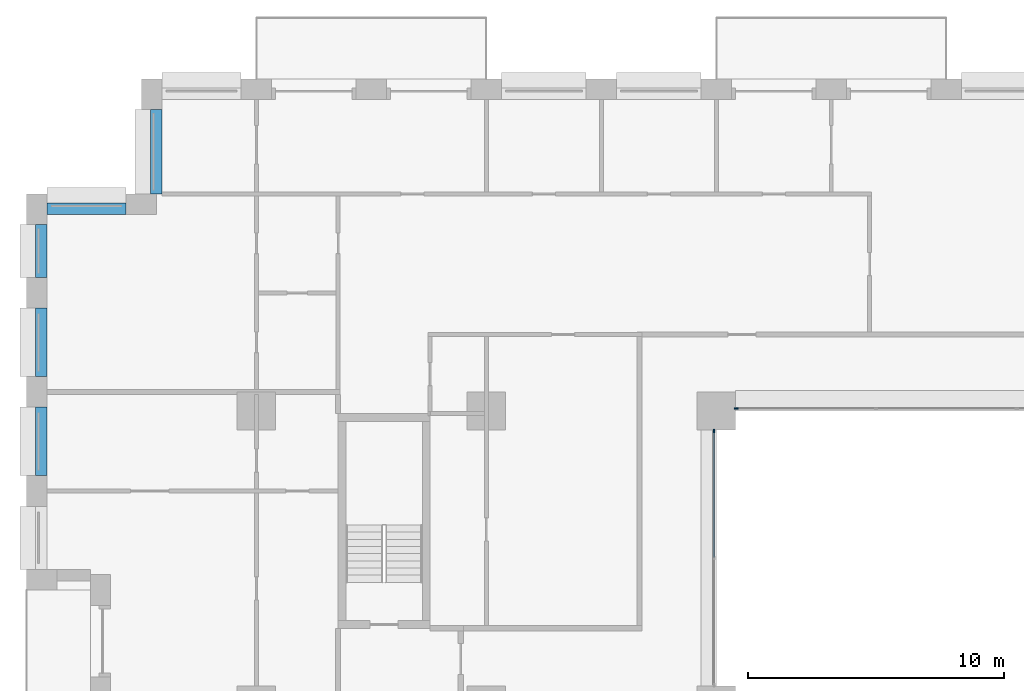
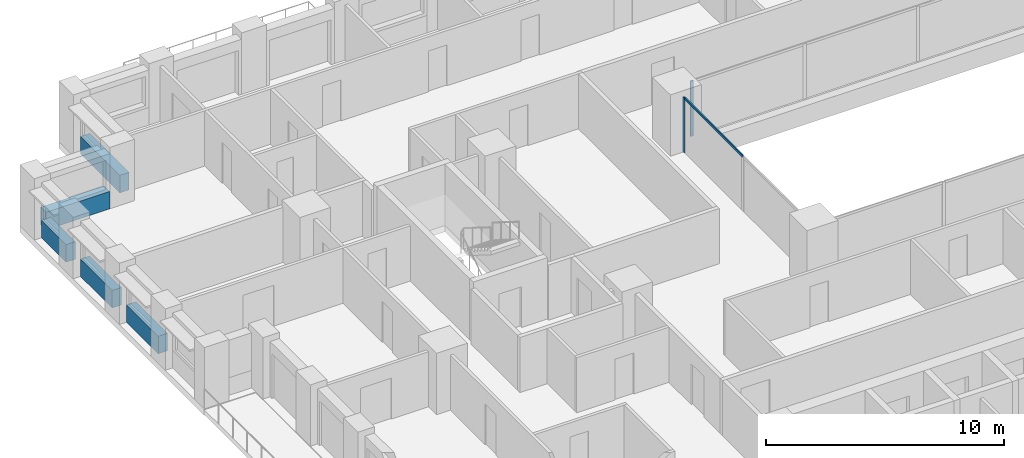
# One storey, part 5 of 21: 5 beams, 3 members, 2 elements without a shape of their own.
"""IFC4 building model written with IfcOpenShell, lengths in metres."""

from ifc_helpers import new_model, si_unit, direction, frame, origin, origin_2d, place, context, subcontext, project, spatial, rectangle, extrude, material, layer, layer_set, material_profile, profile_set, type_object, element, aggregate, save


model = new_model("IFC4")

# Units and contexts
model_context = context("Model", 3, precision=1e-05, world=origin(), true_north=direction((0.0, 1.0)))
body_context = subcontext(model_context, "Body", "Model", "MODEL_VIEW")
ifc_project = project(units=[si_unit("LENGTHUNIT", "METRE"), si_unit("AREAUNIT", "SQUARE_METRE"), si_unit("VOLUMEUNIT", "CUBIC_METRE"), si_unit("PLANEANGLEUNIT", "RADIAN"), si_unit("MASSUNIT", "GRAM", prefix="KILO")], contexts=[model_context])

# Site, building, storey
site_placement = place(None, origin())
site = spatial("IfcSite", under=ifc_project, at=site_placement, CompositionType="ELEMENT")
building_placement = place(site_placement, origin())
building = spatial("IfcBuilding", under=site, at=building_placement, Name="Brigalow Station Residences", CompositionType="ELEMENT")
storey_placement = place(building_placement, frame((0.0, 0.0, 47.85009765625)))
storey = spatial("IfcBuildingStorey", under=building, at=storey_placement, Name="L13", CompositionType="ELEMENT", Elevation=47.85009765625)

# Curtain wall, member
ifc_material_1 = material(Name="Aluminium", Category="aluminium")
ifc_layer = layer(ifc_material_1, 0.14990234375)
ifc_layer_set = layer_set([ifc_layer], Name="ATRIUM FIRE-RATED GLAZING CURTAIN WALL")
curtain_wall_type = type_object("IfcCurtainWallType", Name="ATRIUM FIRE-RATED GLAZING CURTAIN WALL", PredefinedType="NOTDEFINED", material=ifc_layer_set)
curtain_wall_1_placement = place(storey_placement, origin())
curtain_wall_1 = element("IfcCurtainWall", 1, at=curtain_wall_1_placement, inside=storey, type_object=curtain_wall_type, Name="L13/cw/atrium-N", PredefinedType="NOTDEFINED")
ifc_material_2 = material(Name="Aluminium", Category="aluminium")
ifc_material_profile_1 = material_profile(ifc_material_2, rectangle(XDim=0.06005859375, YDim=0.14990234375, at=origin_2d()), Name="ATRIUM FIRE-RATED GLAZING MULLION 60x150")
ifc_profile_set_1 = profile_set([ifc_material_profile_1], Name="Aluminium")
member_type_1 = type_object("IfcMemberType", Name="ATRIUM FIRE-RATED GLAZING MULLION 60x150", PredefinedType="MULLION", material=ifc_profile_set_1)
member_1_placement = place(storey_placement, frame((27.780029296875, 35.60009765625, 0.0), z_axis=(0.0, 0.0, 1.0), x_axis=(0.0, -1.0, 0.0)))
member_1 = element("IfcMember", 2, at=member_1_placement, type_object=member_type_1, Name="L13/cw/atrium-N/M03", PredefinedType="MULLION", context=body_context, shape_type="SweptSolid", body=[
    extrude(rectangle(XDim=0.06005859375, YDim=0.14990234375, at=origin_2d()), origin(), (0.0, 0.0, 1.0), 2.829833984375),
])
aggregate(curtain_wall_1, [member_1])

# Curtain wall, members
curtain_wall_2_placement = place(storey_placement, origin())
curtain_wall_2 = element("IfcCurtainWall", 3, at=curtain_wall_2_placement, inside=storey, type_object=curtain_wall_type, Name="L13/cw/atrium-W", PredefinedType="NOTDEFINED")
member_2_placement = place(storey_placement, frame((26.89990234375, 34.719970703125, 0.0), z_axis=(0.0, 0.0, 1.0), x_axis=(1.0, 0.0, 0.0)))
member_2 = element("IfcMember", 4, at=member_2_placement, type_object=member_type_1, Name="L13/cw/atrium-W/M00", PredefinedType="MULLION", context=body_context, shape_type="SweptSolid", body=[
    extrude(rectangle(XDim=0.06005859375, YDim=0.14990234375, at=origin_2d()), origin(), (0.0, 0.0, 1.0), 2.829833984375),
])
ifc_material_3 = material(Name="Aluminium", Category="aluminium")
ifc_material_profile_2 = material_profile(ifc_material_3, rectangle(XDim=0.06005859375, YDim=0.1201171875, at=origin_2d()), Name="ATRIUM FIRE-RATED GLAZING TRANSOM 60x120")
ifc_profile_set_2 = profile_set([ifc_material_profile_2], Name="Aluminium")
member_type_2 = type_object("IfcMemberType", Name="ATRIUM FIRE-RATED GLAZING TRANSOM 60x120", PredefinedType="USERDEFINED", material=ifc_profile_set_2)
member_3_placement = place(storey_placement, frame((26.89990234375, 34.68994140625, 2.7998046875), z_axis=(0.0, -1.0, 0.0), x_axis=(1.0, 0.0, 0.0)))
member_3 = element("IfcMember", 5, at=member_3_placement, type_object=member_type_2, Name="L13/cw/atrium-W/T00-00", ObjectType="TRANSOM", PredefinedType="USERDEFINED", context=body_context, shape_type="SweptSolid", body=[
    extrude(rectangle(XDim=0.06005859375, YDim=0.1201171875, at=origin_2d()), origin(), (0.0, 0.0, 1.0), 4.909912109375),
])
aggregate(curtain_wall_2, [member_2, member_3])

# Beams
ifc_material_4 = material(Name="Concrete C65", Category="concrete")
ifc_material_profile_3 = material_profile(ifc_material_4, rectangle(XDim=0.449951171875, YDim=0.89990234375, at=origin_2d()), Name="RC450x900")
ifc_profile_set_3 = profile_set([ifc_material_profile_3], Name="Concrete C65")
beam_type = type_object("IfcBeamType", Name="SPANDREL BEAM 450x900 C65", PredefinedType="SPANDREL", material=ifc_profile_set_3)
beam_1_placement = place(storey_placement, frame((5.074951171875, 47.300048828125, 0.449951171875), z_axis=(0.0, -1.0, 0.0), x_axis=(1.0, 0.0, 0.0)))
element("IfcBeam", 6, at=beam_1_placement, inside=storey, type_object=beam_type, Name="L13/spandrel/W-L13-40", PredefinedType="SPANDREL", context=body_context, shape_type="SweptSolid", body=[
    extrude(rectangle(XDim=0.449951171875, YDim=0.89990234375, at=origin_2d()), origin(), (0.0, 0.0, 1.0), 3.300048828125),
])
beam_2_placement = place(storey_placement, frame((3.89990234375, 43.425048828125, 0.449951171875), z_axis=(-1.0, 0.0, 0.0), x_axis=(0.0, -1.0, 0.0)))
element("IfcBeam", 7, at=beam_2_placement, inside=storey, type_object=beam_type, Name="L13/spandrel/W-L13-41", PredefinedType="SPANDREL", context=body_context, shape_type="SweptSolid", body=[
    extrude(rectangle(XDim=0.449951171875, YDim=0.89990234375, at=origin_2d()), origin(), (0.0, 0.0, 1.0), 3.099853515625),
])
beam_3_placement = place(storey_placement, frame((0.574951171875, 42.800048828125, 0.449951171875), z_axis=(0.0, -1.0, 0.0), x_axis=(1.0, 0.0, 0.0)))
element("IfcBeam", 8, at=beam_3_placement, inside=storey, type_object=beam_type, Name="L13/spandrel/W-L13-42", PredefinedType="SPANDREL", context=body_context, shape_type="SweptSolid", body=[
    extrude(rectangle(XDim=0.449951171875, YDim=0.89990234375, at=origin_2d()), origin(), (0.0, 0.0, 1.0), 2.074951171875),
])
for number, where, z_axis, x_axis, name in (
    (9, (0.574951171875, 39.52490234375, 0.449951171875), (0.0, -1.0, 0.0), (1.0, 0.0, 0.0), "L13/spandrel/W-L13-43"),
    (10, (0.574951171875, 35.64990234375, 0.449951171875), (0.0, -1.0, 0.0), (1.0, 0.0, 0.0), "L13/spandrel/W-L13-44"),
):
    element("IfcBeam", number, at=place(storey_placement, frame(where, z_axis=z_axis, x_axis=x_axis)), inside=storey, type_object=beam_type, Name=name, PredefinedType="SPANDREL", context=body_context, shape_type="SweptSolid", body=[
        extrude(rectangle(XDim=0.449951171875, YDim=0.89990234375, at=origin_2d()), origin(), (0.0, 0.0, 1.0), 2.6748046875),
    ])

save(model, "model.ifc")
